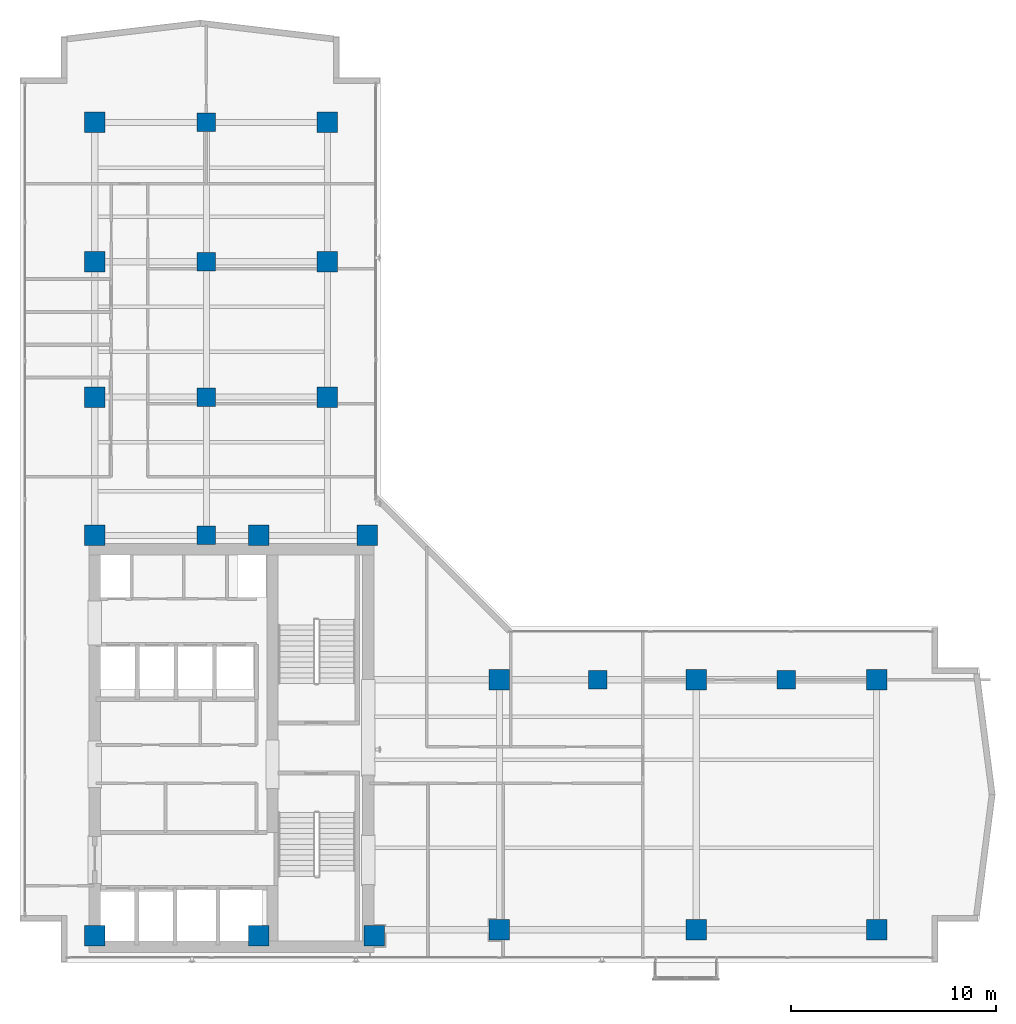
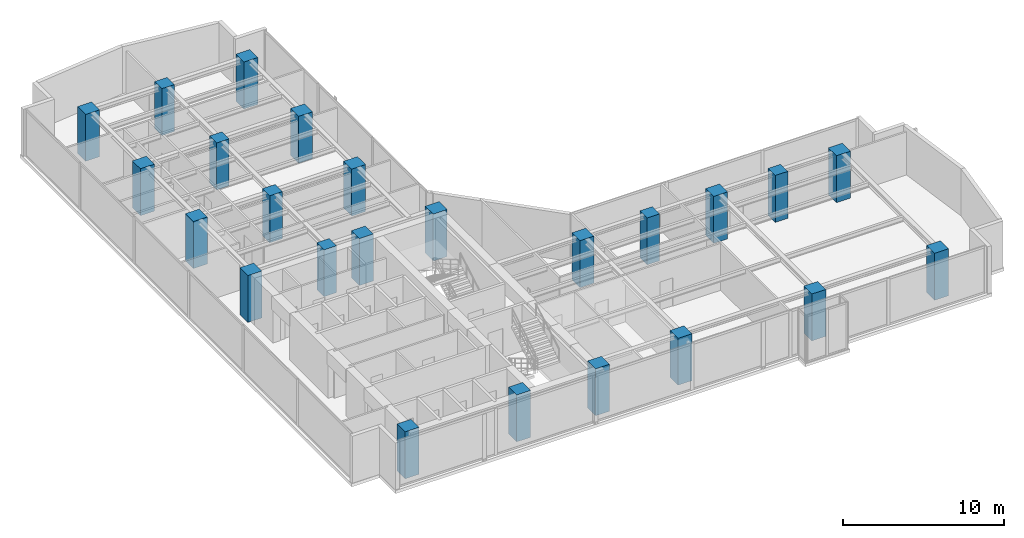
# One storey, part 1 of 24: 24 columns.
"""IFC4 building model written with IfcOpenShell, lengths in metres."""

from ifc_helpers import new_model, si_unit, direction, frame, origin, origin_2d, place, context, subcontext, project, spatial, rectangle, extrude, material, material_profile, profile_set, type_object, element, save


model = new_model("IFC4")

# Units and contexts
model_context = context("Model", 3, precision=1e-05, world=origin(), true_north=direction((0.0, 1.0)))
body_context = subcontext(model_context, "Body", "Model", "MODEL_VIEW")
ifc_project = project(units=[si_unit("LENGTHUNIT", "METRE"), si_unit("AREAUNIT", "SQUARE_METRE"), si_unit("VOLUMEUNIT", "CUBIC_METRE"), si_unit("PLANEANGLEUNIT", "RADIAN"), si_unit("MASSUNIT", "GRAM", prefix="KILO")], contexts=[model_context])

# Site, building, storey
site_placement = place(None, origin())
site = spatial("IfcSite", under=ifc_project, at=site_placement, CompositionType="ELEMENT")
building_placement = place(site_placement, origin())
building = spatial("IfcBuilding", under=site, at=building_placement, Name="Kolvaren Waterfront Exchange", CompositionType="ELEMENT")
storey_placement = place(building_placement, frame((0.0, 0.0, 238.699951171875)))
storey = spatial("IfcBuildingStorey", under=building, at=storey_placement, Name="L61", CompositionType="ELEMENT", Elevation=238.699951171875)

# Columns
ifc_material = material(Name="Concrete C50/60", Category="concrete")
ifc_material_profile_1 = material_profile(ifc_material, rectangle(XDim=1.0, YDim=1.0, at=origin_2d()), Name="RC-COL-1000x1000")
ifc_profile_set_1 = profile_set([ifc_material_profile_1], Name="Concrete C50/60")
column_type_1 = type_object("IfcColumnType", Name="STR-COL-1000-C50", PredefinedType="COLUMN", material=ifc_profile_set_1)
for number, where, z_axis, x_axis, name in (
    (1, (7.449951171875, 4.89990234375, 0.0), (0.0, 0.0, 1.0), (1.0, 0.0, 0.0), "L61 column MC01"),
    (2, (15.449951171875, 4.89990234375, 0.0), (0.0, 0.0, 1.0), (1.0, 0.0, 0.0), "L61 column MC02"),
    (3, (21.10009765625, 4.89990234375, 0.0), (0.0, 0.0, 1.0), (1.0, 0.0, 0.0), "L61 column MC03"),
    (4, (7.449951171875, 24.449951171875, 0.0), (0.0, 0.0, 1.0), (1.0, 0.0, 0.0), "L61 column MC04"),
    (5, (15.449951171875, 24.449951171875, 0.0), (0.0, 0.0, 1.0), (1.0, 0.0, 0.0), "L61 column MC05"),
    (6, (20.75, 24.449951171875, 0.0), (0.0, 0.0, 1.0), (1.0, 0.0, 0.0), "L61 column MC06"),
    (7, (7.449951171875, 31.199951171875, 0.0), (0.0, 0.0, 1.0), (1.0, 0.0, 0.0), "L61 column NC01"),
    (8, (7.449951171875, 37.800048828125, 0.0), (0.0, 0.0, 1.0), (1.0, 0.0, 0.0), "L61 column NC02"),
    (9, (7.449951171875, 44.60009765625, 0.0), (0.0, 0.0, 1.0), (1.0, 0.0, 0.0), "L61 column NC03"),
    (10, (18.800048828125, 31.199951171875, 0.0), (0.0, 0.0, 1.0), (1.0, 0.0, 0.0), "L61 column NC04"),
    (11, (18.800048828125, 37.800048828125, 0.0), (0.0, 0.0, 1.0), (1.0, 0.0, 0.0), "L61 column NC05"),
    (12, (18.800048828125, 44.60009765625, 0.0), (0.0, 0.0, 1.0), (1.0, 0.0, 0.0), "L61 column NC06"),
    (13, (27.199951171875, 5.199951171875, 0.0), (0.0, 0.0, 1.0), (1.0, 0.0, 0.0), "L61 column EC01"),
    (14, (36.800048828125, 5.199951171875, 0.0), (0.0, 0.0, 1.0), (1.0, 0.0, 0.0), "L61 column EC02"),
    (15, (45.60009765625, 5.199951171875, 0.0), (0.0, 0.0, 1.0), (1.0, 0.0, 0.0), "L61 column EC03"),
    (16, (27.199951171875, 17.39990234375, 0.0), (0.0, 0.0, 1.0), (1.0, 0.0, 0.0), "L61 column EC04"),
    (17, (36.800048828125, 17.39990234375, 0.0), (0.0, 0.0, 1.0), (1.0, 0.0, 0.0), "L61 column EC05"),
    (18, (45.60009765625, 17.39990234375, 0.0), (0.0, 0.0, 1.0), (1.0, 0.0, 0.0), "L61 column EC06"),
):
    element("IfcColumn", number, at=place(storey_placement, frame(where, z_axis=z_axis, x_axis=x_axis)), inside=storey, type_object=column_type_1, Name=name, PredefinedType="COLUMN", context=body_context, shape_type="SweptSolid", body=[
        extrude(rectangle(XDim=1.0, YDim=1.0, at=origin_2d()), origin(), (0.0, 0.0, 1.0), 3.56005859375),
    ])
ifc_material_profile_2 = material_profile(ifc_material, rectangle(XDim=0.89990234375, YDim=0.89990234375, at=origin_2d()), Name="RC-COL-900x900")
ifc_profile_set_2 = profile_set([ifc_material_profile_2], Name="Concrete C50/60")
column_type_2 = type_object("IfcColumnType", Name="STR-COL-900-C50", PredefinedType="COLUMN", material=ifc_profile_set_2)
for number, where, z_axis, x_axis, name in (
    (19, (12.89990234375, 24.449951171875, 0.0), (0.0, 0.0, 1.0), (1.0, 0.0, 0.0), "L61 column TC01"),
    (20, (12.89990234375, 31.199951171875, 0.0), (0.0, 0.0, 1.0), (1.0, 0.0, 0.0), "L61 column TC02"),
    (21, (12.89990234375, 37.800048828125, 0.0), (0.0, 0.0, 1.0), (1.0, 0.0, 0.0), "L61 column TC03"),
    (22, (12.89990234375, 44.60009765625, 0.0), (0.0, 0.0, 1.0), (1.0, 0.0, 0.0), "L61 column TC04"),
    (23, (32.0, 17.39990234375, 0.0), (0.0, 0.0, 1.0), (1.0, 0.0, 0.0), "L61 column TC05"),
    (24, (41.199951171875, 17.39990234375, 0.0), (0.0, 0.0, 1.0), (1.0, 0.0, 0.0), "L61 column TC06"),
):
    element("IfcColumn", number, at=place(storey_placement, frame(where, z_axis=z_axis, x_axis=x_axis)), inside=storey, type_object=column_type_2, Name=name, PredefinedType="COLUMN", context=body_context, shape_type="SweptSolid", body=[
        extrude(rectangle(XDim=0.89990234375, YDim=0.89990234375, at=origin_2d()), origin(), (0.0, 0.0, 1.0), 3.56005859375),
    ])

save(model, "model.ifc")
